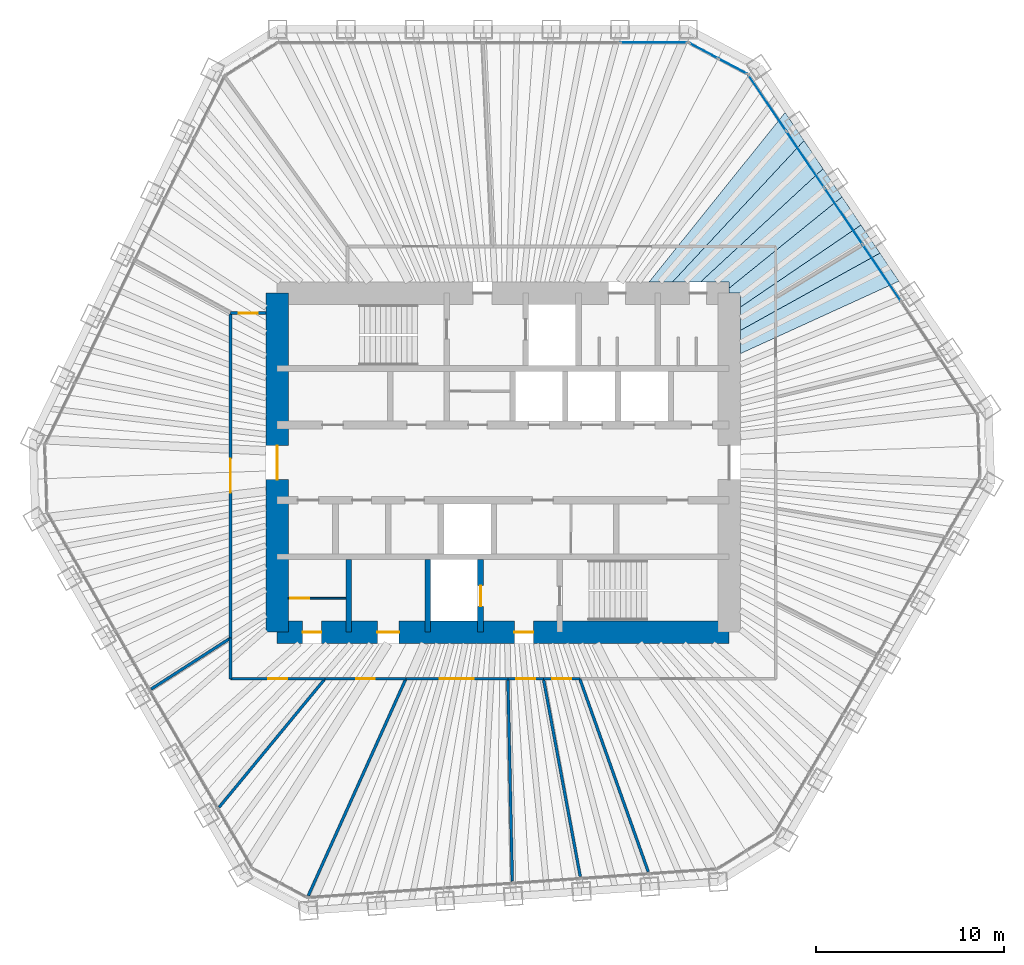
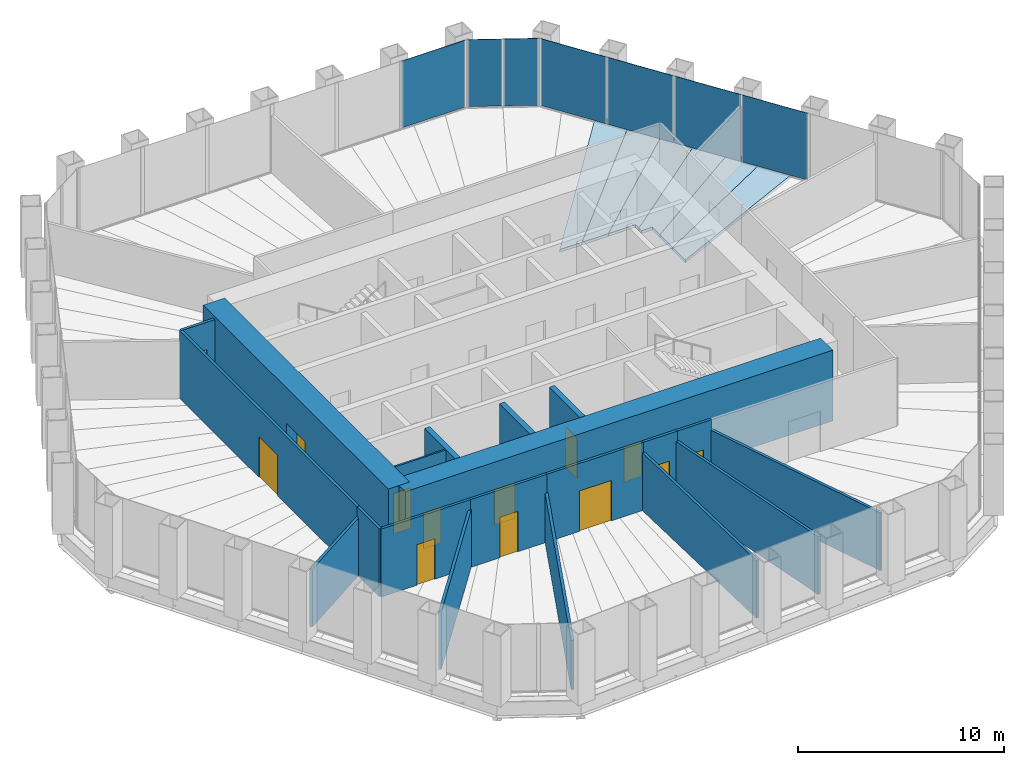
# One storey, part 10 of 13: 20 walls, 13 doors, 7 plates, 6 slabs, 13 openings, 3 elements without a shape of their own.
"""IFC4 building model written with IfcOpenShell, lengths in metres."""

from ifc_helpers import new_model, si_unit, direction, frame, frame_2d, origin, origin_2d, place, context, subcontext, project, spatial, polyline, rectangle, outline, extrude, material, layer, layer_set, type_object, element, fill, aggregate, save


model = new_model("IFC4")

# Units and contexts
model_context = context("Model", 3, precision=1e-05, world=origin(), true_north=direction((0.0, 1.0)))
body_context = subcontext(model_context, "Body", "Model", "MODEL_VIEW")
ifc_project = project(units=[si_unit("LENGTHUNIT", "METRE"), si_unit("AREAUNIT", "SQUARE_METRE"), si_unit("VOLUMEUNIT", "CUBIC_METRE"), si_unit("PLANEANGLEUNIT", "RADIAN"), si_unit("MASSUNIT", "GRAM", prefix="KILO")], contexts=[model_context])

# Site, building, storey
site_placement = place(None, origin())
site = spatial("IfcSite", under=ifc_project, at=site_placement, CompositionType="ELEMENT")
building_placement = place(site_placement, origin())
building = spatial("IfcBuilding", under=site, at=building_placement, Name="Qingtian Harvest Tower", CompositionType="ELEMENT")
storey_placement = place(building_placement, frame((0.0, 0.0, 226.60009765625)))
storey = spatial("IfcBuildingStorey", under=building, at=storey_placement, Name="L49", CompositionType="ELEMENT", Elevation=226.60009765625)

# Slabs
ifc_material_1 = material(Name="Concrete fc' 35 MPa", Category="concrete")
ifc_layer_1 = layer(ifc_material_1, 0.169921875)
ifc_layer_set_1 = layer_set([ifc_layer_1], Name="Composite floor slab FS17 170")
slab_type = type_object("IfcSlabType", Name="Composite floor slab FS17 170", PredefinedType="FLOOR", material=ifc_layer_set_1)
slab_1_placement = place(storey_placement, frame((0.0, 0.0, -0.170166015625)))
element("IfcSlab", 1, at=slab_1_placement, inside=storey, type_object=slab_type, Name="Floor slab L49 panel D45", PredefinedType="FLOOR", context=body_context, shape_type="SweptSolid", body=[
    extrude(outline(polyline([(12.60009765625, 7.023681640625), (20.003662109375, 11.125244140625), (21.010986328125, 9.6318359375), (12.60009765625, 5.7900390625), (12.60009765625, 7.023681640625)])), origin(), (0.0, 0.0, 1.0), 0.170166015625),
])
slab_2_placement = place(storey_placement, frame((0.0, 0.0, -0.170166015625)))
element("IfcSlab", 2, at=slab_2_placement, inside=storey, type_object=slab_type, Name="Floor slab L49 panel D46", PredefinedType="FLOOR", context=body_context, shape_type="SweptSolid", body=[
    extrude(outline(polyline([(12.60009765625, 8.260498046875), (18.997802734375, 12.61669921875), (20.003662109375, 11.125244140625), (12.60009765625, 7.023681640625), (12.60009765625, 8.260498046875)])), origin(), (0.0, 0.0, 1.0), 0.170166015625),
])
slab_3_placement = place(storey_placement, frame((0.0, 0.0, -0.170166015625)))
element("IfcSlab", 3, at=slab_3_placement, inside=storey, type_object=slab_type, Name="Floor slab L49 panel D47", PredefinedType="FLOOR", context=body_context, shape_type="SweptSolid", body=[
    extrude(outline(polyline([(12.60009765625, 9.0), (12.0, 9.0), (12.0, 9.2666015625), (17.99072265625, 14.109375), (18.997802734375, 12.61669921875), (12.60009765625, 8.260498046875), (12.60009765625, 9.0)])), origin(), (0.0, 0.0, 1.0), 0.170166015625),
])
slab_4_placement = place(storey_placement, frame((0.0, 0.0, -0.170166015625)))
element("IfcSlab", 4, at=slab_4_placement, inside=storey, type_object=slab_type, Name="Floor slab L49 panel D48", PredefinedType="FLOOR", context=body_context, shape_type="SweptSolid", body=[
    extrude(outline(polyline([(12.0, 9.60009765625), (10.48583984375, 9.60009765625), (16.982177734375, 15.604736328125), (17.99072265625, 14.109375), (12.0, 9.2666015625), (12.0, 9.60009765625)])), origin(), (0.0, 0.0, 1.0), 0.170166015625),
])
slab_5_placement = place(storey_placement, frame((0.0, 0.0, -0.170166015625)))
element("IfcSlab", 5, at=slab_5_placement, inside=storey, type_object=slab_type, Name="Floor slab L49 panel D49", PredefinedType="FLOOR", context=body_context, shape_type="SweptSolid", body=[
    extrude(outline(polyline([(8.998291015625, 9.60009765625), (15.974853515625, 17.098388671875), (16.982177734375, 15.604736328125), (10.48583984375, 9.60009765625), (8.998291015625, 9.60009765625)])), origin(), (0.0, 0.0, 1.0), 0.170166015625),
])
slab_6_placement = place(storey_placement, frame((0.0, 0.0, -0.170166015625)))
element("IfcSlab", 6, at=slab_6_placement, inside=storey, type_object=slab_type, Name="Floor slab L49 panel D50", PredefinedType="FLOOR", context=body_context, shape_type="SweptSolid", body=[
    extrude(outline(polyline([(7.751220703125, 9.60009765625), (14.967529296875, 18.591796875), (15.974853515625, 17.098388671875), (8.998291015625, 9.60009765625), (7.751220703125, 9.60009765625)])), origin(), (0.0, 0.0, 1.0), 0.170166015625),
])

# Curtain wall, plate
ifc_material_2 = material(Name="Bronze-anodised aluminium curtain wall", Category="aluminium")
curtain_wall_type = type_object("IfcCurtainWallType", Name="Curtain wall CW4 office", PredefinedType="USERDEFINED", material=ifc_material_2)
curtain_wall_1_placement = place(storey_placement, origin())
curtain_wall_1 = element("IfcCurtainWall", 7, at=curtain_wall_1_placement, inside=storey, type_object=curtain_wall_type, Name="Curtain wall CW4 L49 N0-5", ObjectType="RECESSED CURTAIN WALL", PredefinedType="USERDEFINED")
ifc_material_3 = material(Name="Bronze-tinted laminated insulating glass", Category="glass")
ifc_layer_2 = layer(ifc_material_3, 0.030029296875)
ifc_layer_set_2 = layer_set([ifc_layer_2], Name="Glazed panel CWP tinted IGU")
plate_type = type_object("IfcPlateType", Name="Glazed panel CWP tinted IGU", PredefinedType="CURTAIN_PANEL", material=ifc_layer_set_2)
plate_1_placement = place(storey_placement, frame((7.996337890625, 22.300048828125, 0.06494140625), z_axis=(0.0, 0.0, 1.0), x_axis=(1.0, 0.0, 0.0)))
plate_1 = element("IfcPlate", 8, at=plate_1_placement, type_object=plate_type, Name="CW4 panel 6.1", PredefinedType="CURTAIN_PANEL", context=body_context, shape_type="SweptSolid", body=[
    extrude(rectangle(XDim=3.5361328125, YDim=0.030029296875, at=origin_2d()), origin(), (0.0, 0.0, 1.0), 3.965087890625),
])
aggregate(curtain_wall_1, [plate_1])

# Curtain wall, plates
curtain_wall_2_placement = place(storey_placement, origin())
curtain_wall_2 = element("IfcCurtainWall", 9, at=curtain_wall_2_placement, inside=storey, type_object=curtain_wall_type, Name="Curtain wall CW4 L49 NC", ObjectType="RECESSED CURTAIN WALL", PredefinedType="USERDEFINED")
plate_2_placement = place(storey_placement, frame((10.634033203125, 21.8720703125, 0.06494140625), z_axis=(0.0, 0.0, 1.0), x_axis=(0.882947592859, -0.469471562786, 0.0)))
plate_2 = element("IfcPlate", 10, at=plate_2_placement, type_object=plate_type, Name="CW4 panel 1.1", PredefinedType="CURTAIN_PANEL", context=body_context, shape_type="SweptSolid", body=[
    extrude(rectangle(XDim=1.69287109375, YDim=0.030029296875, at=origin_2d()), origin(), (0.0, 0.0, 1.0), 3.965087890625),
])
plate_3_placement = place(storey_placement, frame((12.186279296875, 21.046875, 0.06494140625), z_axis=(0.0, 0.0, 1.0), x_axis=(0.882947592859, -0.469471562786, 0.0)))
plate_3 = element("IfcPlate", 11, at=plate_3_placement, type_object=plate_type, Name="CW4 panel 2.1", PredefinedType="CURTAIN_PANEL", context=body_context, shape_type="SweptSolid", body=[
    extrude(rectangle(XDim=1.69287109375, YDim=0.030029296875, at=origin_2d()), origin(), (0.0, 0.0, 1.0), 3.965087890625),
])
aggregate(curtain_wall_2, [plate_2, plate_3])

curtain_wall_3_placement = place(storey_placement, origin())
curtain_wall_3 = element("IfcCurtainWall", 12, at=curtain_wall_3_placement, inside=storey, type_object=curtain_wall_type, Name="Curtain wall CW4 L49 NE0-5", ObjectType="RECESSED CURTAIN WALL", PredefinedType="USERDEFINED")
plate_4_placement = place(storey_placement, frame((14.01611328125, 19.09912109375, 0.06494140625), z_axis=(0.0, 0.0, 1.0), x_axis=(0.559192903471, -0.829037572555, 0.0)))
plate_4 = element("IfcPlate", 13, at=plate_4_placement, type_object=plate_type, Name="CW4 panel 1.1", PredefinedType="CURTAIN_PANEL", context=body_context, shape_type="SweptSolid", body=[
    extrude(rectangle(XDim=3.5361328125, YDim=0.030029296875, at=origin_2d()), origin(), (0.0, 0.0, 1.0), 3.965087890625),
])
plate_5_placement = place(storey_placement, frame((16.038818359375, 16.100341796875, 0.06494140625), z_axis=(0.0, 0.0, 1.0), x_axis=(0.559192903471, -0.829037572555, 0.0)))
plate_5 = element("IfcPlate", 14, at=plate_5_placement, type_object=plate_type, Name="CW4 panel 2.1", PredefinedType="CURTAIN_PANEL", context=body_context, shape_type="SweptSolid", body=[
    extrude(rectangle(XDim=3.568603515625, YDim=0.030029296875, at=origin_2d()), origin(), (0.0, 0.0, 1.0), 3.965087890625),
])
plate_6_placement = place(storey_placement, frame((18.07080078125, 13.087890625, 0.06494140625), z_axis=(0.0, 0.0, 1.0), x_axis=(0.559192903471, -0.829037572555, 0.0)))
plate_6 = element("IfcPlate", 15, at=plate_6_placement, type_object=plate_type, Name="CW4 panel 3.1", PredefinedType="CURTAIN_PANEL", context=body_context, shape_type="SweptSolid", body=[
    extrude(rectangle(XDim=3.568603515625, YDim=0.030029296875, at=origin_2d()), origin(), (0.0, 0.0, 1.0), 3.965087890625),
])
plate_7_placement = place(storey_placement, frame((20.1025390625, 10.07568359375, 0.06494140625), z_axis=(0.0, 0.0, 1.0), x_axis=(0.559192903471, -0.829037572555, 0.0)))
plate_7 = element("IfcPlate", 16, at=plate_7_placement, type_object=plate_type, Name="CW4 panel 4.1", PredefinedType="CURTAIN_PANEL", context=body_context, shape_type="SweptSolid", body=[
    extrude(rectangle(XDim=3.568603515625, YDim=0.030029296875, at=origin_2d()), origin(), (0.0, 0.0, 1.0), 3.965087890625),
])
aggregate(curtain_wall_3, [plate_4, plate_5, plate_6, plate_7])

# Walls
ifc_material_4 = material(Name="Precast concrete shaft panel", Category="concrete")
ifc_layer_3 = layer(ifc_material_4, 0.300048828125)
ifc_layer_set_3 = layer_set([ifc_layer_3], Name="Core shaft partition SW1 300")
wall_type_1 = type_object("IfcWallType", Name="Core shaft partition SW1 300", PredefinedType="PARTITIONING", material=ifc_layer_set_3)
for number, where, z_axis, x_axis, name in (
    (17, (-8.199951171875, -9.0, 0.0), (0.0, 0.0, 1.0), (0.0, 1.0, 0.0), "Core shaft partition XS1 L49"),
    (18, (-4.0, -9.0, 0.0), (0.0, 0.0, 1.0), (0.0, 1.0, 0.0), "Core shaft partition XS2 L49"),
):
    element("IfcWall", number, at=place(storey_placement, frame(where, z_axis=z_axis, x_axis=x_axis)), inside=storey, type_object=wall_type_1, Name=name, PredefinedType="PARTITIONING", context=body_context, shape_type="SweptSolid", body=[
        extrude(rectangle(XDim=3.85009765625, YDim=0.300048828125, at=frame_2d((1.925048828125, 0.0))), origin(), (0.0, 0.0, 1.0), 3.97998046875),
    ])

# Wall, opening, door
wall_1_placement = place(storey_placement, frame((-1.199951171875, -9.0, 0.0), z_axis=(0.0, 0.0, 1.0), x_axis=(0.0, 1.0, 0.0)))
wall_1 = element("IfcWall", 19, at=wall_1_placement, inside=storey, type_object=wall_type_1, Name="Core shaft partition XS3 L49", PredefinedType="PARTITIONING", context=body_context, shape_type="SweptSolid", body=[
    extrude(rectangle(XDim=3.85009765625, YDim=0.300048828125, at=frame_2d((1.925048828125, 0.0))), origin(), (0.0, 0.0, 1.0), 3.97998046875),
])
opening_1_placement = place(wall_1_placement, frame((1.375, 0.0, 0.0)))
opening_1 = element("IfcOpeningElement", 20, at=opening_1_placement, cuts=wall_1, Name="Opening LD1", PredefinedType="OPENING", context=body_context, shape_type="SweptSolid", body=[
    extrude(rectangle(XDim=1.10009765625, YDim=2.39990234375, at=frame_2d((0.550048828125, 1.199951171875))), frame((0.0, 0.159912109375, 0.0), z_axis=(0.0, -1.0, 0.0), x_axis=(1.0, 0.0, 0.0)), (0.0, 0.0, 1.0), 0.320068359375),
])
ifc_material_5 = material(Name="Stainless steel lift landing door", Category="steel")
door_type_1 = type_object("IfcDoorType", Name="Lift landing door LD1 1 HR", OperationType="DOUBLE_DOOR_SLIDING", PredefinedType="DOOR", material=ifc_material_5)
door_1_placement = place(opening_1_placement, origin())
door_1 = element("IfcDoor", 21, at=door_1_placement, inside=storey, type_object=door_type_1, Name="FL2 landing door L49", OperationType="DOUBLE_DOOR_SLIDING", OverallHeight=2.39990234375, OverallWidth=1.10009765625, PredefinedType="DOOR", context=body_context, shape_type="SweptSolid", body=[
    extrude(rectangle(XDim=1.10009765625, YDim=2.39990234375, at=frame_2d((0.550048828125, 1.199951171875))), frame((0.0, 0.02490234375, 0.0), z_axis=(0.0, -1.0, 0.0), x_axis=(1.0, 0.0, 0.0)), (0.0, 0.0, 1.0), 0.050048828125),
])
fill(opening_1, door_1)

# Wall, openings, doors
ifc_material_6 = material(Name="Concrete fc' 70 MPa", Category="concrete")
ifc_layer_4 = layer(ifc_material_6, 1.199951171875)
ifc_layer_set_4 = layer_set([ifc_layer_4], Name="Core wall RC2 1200")
wall_type_2 = type_object("IfcWallType", Name="Core wall RC2 1200", PredefinedType="SHEAR", material=ifc_layer_set_4)
wall_2_placement = place(storey_placement, frame((-12.0, -9.0, 0.0), z_axis=(0.0, 0.0, 1.0), x_axis=(1.0, 0.0, 0.0)))
wall_2 = element("IfcWall", 22, at=wall_2_placement, inside=storey, type_object=wall_type_2, Name="Core wall CS L49", PredefinedType="SHEAR", context=body_context, shape_type="SweptSolid", body=[
    extrude(rectangle(XDim=24.0, YDim=1.199951171875, at=frame_2d((12.0, 0.0))), origin(), (0.0, 0.0, 1.0), 4.199951171875),
])
opening_2_placement = place(wall_2_placement, frame((1.35009765625, 0.0, 0.0)))
opening_2 = element("IfcOpeningElement", 23, at=opening_2_placement, cuts=wall_2, Name="Opening FD1", PredefinedType="OPENING", context=body_context, shape_type="SweptSolid", body=[
    extrude(rectangle(XDim=1.0, YDim=2.10009765625, at=frame_2d((0.5, 1.050048828125))), frame((0.0, 0.60986328125, 0.0), z_axis=(0.0, -1.0, 0.0), x_axis=(1.0, 0.0, 0.0)), (0.0, 0.0, 1.0), 1.219970703125),
])
opening_3_placement = place(wall_2_placement, frame((5.324951171875, 0.0, 0.0)))
opening_3 = element("IfcOpeningElement", 24, at=opening_3_placement, cuts=wall_2, Name="Opening AD1", PredefinedType="OPENING", context=body_context, shape_type="SweptSolid", body=[
    extrude(rectangle(XDim=1.14990234375, YDim=2.10009765625, at=frame_2d((0.574951171875, 1.050048828125))), frame((0.0, 0.60986328125, 0.0), z_axis=(0.0, -1.0, 0.0), x_axis=(1.0, 0.0, 0.0)), (0.0, 0.0, 1.0), 1.219970703125),
])
opening_4_placement = place(wall_2_placement, frame((12.60009765625, 0.0, 0.0)))
opening_4 = element("IfcOpeningElement", 25, at=opening_4_placement, cuts=wall_2, Name="Opening FD1", PredefinedType="OPENING", context=body_context, shape_type="SweptSolid", body=[
    extrude(rectangle(XDim=1.0, YDim=2.10009765625, at=frame_2d((0.5, 1.050048828125))), frame((0.0, 0.60986328125, 0.0), z_axis=(0.0, -1.0, 0.0), x_axis=(1.0, 0.0, 0.0)), (0.0, 0.0, 1.0), 1.219970703125),
])
ifc_material_7 = material(Name="Laminated timber door leaf", Category="wood")
door_type_2 = type_object("IfcDoorType", Name="Accessible WC door AD1 single", OperationType="SINGLE_SWING_LEFT", PredefinedType="DOOR", material=ifc_material_7)
door_2_placement = place(opening_3_placement, origin())
door_2 = element("IfcDoor", 26, at=door_2_placement, inside=storey, type_object=door_type_2, Name="AWC door L49", OperationType="SINGLE_SWING_LEFT", OverallHeight=2.10009765625, OverallWidth=1.14990234375, PredefinedType="DOOR", context=body_context, shape_type="SweptSolid", body=[
    extrude(rectangle(XDim=1.14990234375, YDim=2.10009765625, at=frame_2d((0.574951171875, 1.050048828125))), frame((0.0, 0.02490234375, 0.0), z_axis=(0.0, -1.0, 0.0), x_axis=(1.0, 0.0, 0.0)), (0.0, 0.0, 1.0), 0.050048828125),
])
fill(opening_3, door_2)
ifc_material_8 = material(Name="Steel-faced door leaf", Category="steel")
door_type_3 = type_object("IfcDoorType", Name="Fire door FD1 single 1 HR", OperationType="SINGLE_SWING_LEFT", PredefinedType="DOOR", material=ifc_material_8)
door_3_placement = place(opening_2_placement, origin())
door_3 = element("IfcDoor", 27, at=door_3_placement, inside=storey, type_object=door_type_3, Name="CLN door L49", OperationType="SINGLE_SWING_LEFT", OverallHeight=2.10009765625, OverallWidth=1.0, PredefinedType="DOOR", context=body_context, shape_type="SweptSolid", body=[
    extrude(rectangle(XDim=1.0, YDim=2.10009765625, at=frame_2d((0.5, 1.050048828125))), frame((0.0, 0.02490234375, 0.0), z_axis=(0.0, -1.0, 0.0), x_axis=(1.0, 0.0, 0.0)), (0.0, 0.0, 1.0), 0.050048828125),
])
fill(opening_2, door_3)
door_4_placement = place(opening_4_placement, origin())
door_4 = element("IfcDoor", 28, at=door_4_placement, inside=storey, type_object=door_type_3, Name="V2 door L49", OperationType="SINGLE_SWING_RIGHT", OverallHeight=2.10009765625, OverallWidth=1.0, PredefinedType="DOOR", context=body_context, shape_type="SweptSolid", body=[
    extrude(rectangle(XDim=1.0, YDim=2.10009765625, at=frame_2d((0.5, 1.050048828125))), frame((0.0, 0.02490234375, 0.0), z_axis=(0.0, -1.0, 0.0), x_axis=(1.0, 0.0, 0.0)), (0.0, 0.0, 1.0), 0.050048828125),
])
fill(opening_4, door_4)

# Wall, opening, door
wall_3_placement = place(storey_placement, frame((-12.0, -9.0, 0.0), z_axis=(0.0, 0.0, 1.0), x_axis=(0.0, 1.0, 0.0)))
wall_3 = element("IfcWall", 29, at=wall_3_placement, inside=storey, type_object=wall_type_2, Name="Core wall CW L49", PredefinedType="SHEAR", context=body_context, shape_type="SweptSolid", body=[
    extrude(rectangle(XDim=18.0, YDim=1.199951171875, at=frame_2d((9.0, 0.0))), origin(), (0.0, 0.0, 1.0), 4.199951171875),
])
opening_5_placement = place(wall_3_placement, frame((8.10009765625, 0.0, 0.0)))
opening_5 = element("IfcOpeningElement", 30, at=opening_5_placement, cuts=wall_3, Name="Opening FD2", PredefinedType="OPENING", context=body_context, shape_type="SweptSolid", body=[
    extrude(rectangle(XDim=1.800048828125, YDim=2.10009765625, at=frame_2d((0.89990234375, 1.050048828125))), frame((0.0, 0.60986328125, 0.0), z_axis=(0.0, -1.0, 0.0), x_axis=(1.0, 0.0, 0.0)), (0.0, 0.0, 1.0), 1.219970703125),
])
ifc_material_9 = material(Name="Steel-faced door leaf", Category="steel")
door_type_4 = type_object("IfcDoorType", Name="Fire door FD2 double 1 HR", OperationType="DOUBLE_DOOR_DOUBLE_SWING", PredefinedType="DOOR", material=ifc_material_9)
door_5_placement = place(opening_5_placement, origin())
door_5 = element("IfcDoor", 31, at=door_5_placement, inside=storey, type_object=door_type_4, Name="LOBBY-W door L49", OperationType="DOUBLE_DOOR_DOUBLE_SWING", OverallHeight=2.10009765625, OverallWidth=1.800048828125, PredefinedType="DOOR", context=body_context, shape_type="SweptSolid", body=[
    extrude(rectangle(XDim=1.800048828125, YDim=2.10009765625, at=frame_2d((0.89990234375, 1.050048828125))), frame((0.0, 0.02490234375, 0.0), z_axis=(0.0, -1.0, 0.0), x_axis=(1.0, 0.0, 0.0)), (0.0, 0.0, 1.0), 0.050048828125),
])
fill(opening_5, door_5)

# Wall
ifc_material_10 = material(Name="Gypsum board on steel studs", Category="steel")
ifc_layer_5 = layer(ifc_material_10, 0.14990234375)
ifc_layer_set_5 = layer_set([ifc_layer_5], Name="Partition PT1 150")
wall_type_3 = type_object("IfcWallType", Name="Partition PT1 150", PredefinedType="PARTITIONING", material=ifc_layer_set_5)
wall_4_placement = place(storey_placement, frame((-18.692626953125, -12.023681640625, 0.0), z_axis=(0.0, 0.0, 1.0), x_axis=(0.841031335058, 0.540986407824, 0.0)))
element("IfcWall", 32, at=wall_4_placement, inside=storey, type_object=wall_type_3, Name="Office suite wall L49", PredefinedType="PARTITIONING", context=body_context, shape_type="SweptSolid", body=[
    extrude(rectangle(XDim=5.0146484375, YDim=0.14990234375, at=frame_2d((2.50732421875, 0.0))), origin(), (0.0, 0.0, 1.0), 3.429931640625),
])

# Wall, opening, door
wall_5_placement = place(storey_placement, frame((-14.47509765625, -9.310791015625, 0.0), z_axis=(0.0, 0.0, 1.0), x_axis=(0.0, 1.0, 0.0)))
wall_5 = element("IfcWall", 33, at=wall_5_placement, inside=storey, type_object=wall_type_3, Name="Office suite wall L49", PredefinedType="PARTITIONING", context=body_context, shape_type="SweptSolid", body=[
    extrude(rectangle(XDim=17.252197265625, YDim=0.14990234375, at=frame_2d((8.6259765625, 0.0))), origin(), (0.0, 0.0, 1.0), 4.02978515625),
])
opening_6_placement = place(wall_5_placement, frame((7.72607421875, 0.0, 0.0)))
opening_6 = element("IfcOpeningElement", 34, at=opening_6_placement, cuts=wall_5, Name="Opening D3", PredefinedType="OPENING", context=body_context, shape_type="SweptSolid", body=[
    extrude(rectangle(XDim=1.800048828125, YDim=2.39990234375, at=frame_2d((0.89990234375, 1.199951171875))), frame((0.0, 0.0849609375, 0.0), z_axis=(0.0, -1.0, 0.0), x_axis=(1.0, 0.0, 0.0)), (0.0, 0.0, 1.0), 0.169921875),
])
ifc_material_11 = material(Name="Laminated timber door leaf", Category="wood")
door_type_5 = type_object("IfcDoorType", Name="Room door D3 double", OperationType="DOUBLE_DOOR_DOUBLE_SWING", PredefinedType="DOOR", material=ifc_material_11)
door_6_placement = place(opening_6_placement, origin())
door_6 = element("IfcDoor", 35, at=door_6_placement, inside=storey, type_object=door_type_5, Name="Office suite door L49", OperationType="DOUBLE_DOOR_DOUBLE_SWING", OverallHeight=2.39990234375, OverallWidth=1.800048828125, PredefinedType="DOOR", context=body_context, shape_type="SweptSolid", body=[
    extrude(rectangle(XDim=1.800048828125, YDim=2.39990234375, at=frame_2d((0.89990234375, 1.199951171875))), frame((0.0, 0.02490234375, 0.0), z_axis=(0.0, -1.0, 0.0), x_axis=(1.0, 0.0, 0.0)), (0.0, 0.0, 1.0), 0.050048828125),
])
fill(opening_6, door_6)

wall_6_placement = place(storey_placement, frame((-14.47509765625, 7.94140625, 0.0), z_axis=(0.0, 0.0, 1.0), x_axis=(1.0, 0.0, 0.0)))
wall_6 = element("IfcWall", 36, at=wall_6_placement, inside=storey, type_object=wall_type_3, Name="Office suite wall L49", PredefinedType="PARTITIONING", context=body_context, shape_type="SweptSolid", body=[
    extrude(rectangle(XDim=1.875, YDim=0.14990234375, at=frame_2d((0.9375, 0.0))), origin(), (0.0, 0.0, 1.0), 4.02978515625),
])
opening_7_placement = place(wall_6_placement, frame((0.4375, 0.0, 0.0)))
opening_7 = element("IfcOpeningElement", 37, at=opening_7_placement, cuts=wall_6, Name="Opening D2", PredefinedType="OPENING", context=body_context, shape_type="SweptSolid", body=[
    extrude(rectangle(XDim=1.0, YDim=2.39990234375, at=frame_2d((0.5, 1.199951171875))), frame((0.0, 0.0849609375, 0.0), z_axis=(0.0, -1.0, 0.0), x_axis=(1.0, 0.0, 0.0)), (0.0, 0.0, 1.0), 0.169921875),
])
ifc_material_12 = material(Name="Laminated timber door leaf", Category="wood")
door_type_6 = type_object("IfcDoorType", Name="Room door D2 single", OperationType="SINGLE_SWING_LEFT", PredefinedType="DOOR", material=ifc_material_12)
door_7_placement = place(opening_7_placement, origin())
door_7 = element("IfcDoor", 38, at=door_7_placement, inside=storey, type_object=door_type_6, Name="Office suite door L49", OperationType="SINGLE_SWING_LEFT", OverallHeight=2.39990234375, OverallWidth=1.0, PredefinedType="DOOR", context=body_context, shape_type="SweptSolid", body=[
    extrude(rectangle(XDim=1.0, YDim=2.39990234375, at=frame_2d((0.5, 1.199951171875))), frame((0.0, 0.02490234375, 0.0), z_axis=(0.0, -1.0, 0.0), x_axis=(1.0, 0.0, 0.0)), (0.0, 0.0, 1.0), 0.050048828125),
])
fill(opening_7, door_7)

# Wall
wall_7_placement = place(storey_placement, frame((7.702880859375, -21.71923828125, 0.0), z_axis=(0.0, 0.0, 1.0), x_axis=(-0.334269551553, 0.942477515331, 0.0)))
element("IfcWall", 39, at=wall_7_placement, inside=storey, type_object=wall_type_3, Name="Focus room wall L49", PredefinedType="PARTITIONING", context=body_context, shape_type="SweptSolid", body=[
    extrude(rectangle(XDim=10.869384765625, YDim=0.14990234375, at=frame_2d((5.4345703125, 0.0))), origin(), (0.0, 0.0, 1.0), 3.429931640625),
])

# Wall, opening, door
wall_8_placement = place(storey_placement, frame((4.069580078125, -11.47509765625, 0.0), z_axis=(0.0, 0.0, 1.0), x_axis=(-1.0, 0.0, 0.0)))
wall_8 = element("IfcWall", 40, at=wall_8_placement, inside=storey, type_object=wall_type_3, Name="Focus room wall L49", PredefinedType="PARTITIONING", context=body_context, shape_type="SweptSolid", body=[
    extrude(rectangle(XDim=1.931640625, YDim=0.14990234375, at=frame_2d((0.9658203125, 0.0))), origin(), (0.0, 0.0, 1.0), 4.02978515625),
])
opening_8_placement = place(wall_8_placement, frame((0.4658203125, 0.0, 0.0)))
opening_8 = element("IfcOpeningElement", 41, at=opening_8_placement, cuts=wall_8, Name="Opening D2", PredefinedType="OPENING", context=body_context, shape_type="SweptSolid", body=[
    extrude(rectangle(XDim=1.0, YDim=2.39990234375, at=frame_2d((0.5, 1.199951171875))), frame((0.0, 0.0849609375, 0.0), z_axis=(0.0, -1.0, 0.0), x_axis=(1.0, 0.0, 0.0)), (0.0, 0.0, 1.0), 0.169921875),
])
door_8_placement = place(opening_8_placement, origin())
door_8 = element("IfcDoor", 42, at=door_8_placement, inside=storey, type_object=door_type_6, Name="Focus room door L49", OperationType="SINGLE_SWING_RIGHT", OverallHeight=2.39990234375, OverallWidth=1.0, PredefinedType="DOOR", context=body_context, shape_type="SweptSolid", body=[
    extrude(rectangle(XDim=1.0, YDim=2.39990234375, at=frame_2d((0.5, 1.199951171875))), frame((0.0, 0.02490234375, 0.0), z_axis=(0.0, -1.0, 0.0), x_axis=(1.0, 0.0, 0.0)), (0.0, 0.0, 1.0), 0.050048828125),
])
fill(opening_8, door_8)

# Wall
wall_9_placement = place(storey_placement, frame((4.09326171875, -21.96875, 0.0), z_axis=(0.0, 0.0, 1.0), x_axis=(-0.183180901121, 0.983079222374, 0.0)))
element("IfcWall", 43, at=wall_9_placement, inside=storey, type_object=wall_type_3, Name="Print room wall L49", PredefinedType="PARTITIONING", context=body_context, shape_type="SweptSolid", body=[
    extrude(rectangle(XDim=10.67431640625, YDim=0.14990234375, at=frame_2d((5.337158203125, 0.0))), origin(), (0.0, 0.0, 1.0), 3.429931640625),
])

# Wall, opening, door
wall_10_placement = place(storey_placement, frame((2.137939453125, -11.47509765625, 0.0), z_axis=(0.0, 0.0, 1.0), x_axis=(-1.0, 0.0, 0.0)))
wall_10 = element("IfcWall", 44, at=wall_10_placement, inside=storey, type_object=wall_type_3, Name="Print room wall L49", PredefinedType="PARTITIONING", context=body_context, shape_type="SweptSolid", body=[
    extrude(rectangle(XDim=1.8876953125, YDim=0.14990234375, at=frame_2d((0.94384765625, 0.0))), origin(), (0.0, 0.0, 1.0), 4.02978515625),
])
opening_9_placement = place(wall_10_placement, frame((0.44384765625, 0.0, 0.0)))
opening_9 = element("IfcOpeningElement", 45, at=opening_9_placement, cuts=wall_10, Name="Opening D2", PredefinedType="OPENING", context=body_context, shape_type="SweptSolid", body=[
    extrude(rectangle(XDim=1.0, YDim=2.39990234375, at=frame_2d((0.5, 1.199951171875))), frame((0.0, 0.0849609375, 0.0), z_axis=(0.0, -1.0, 0.0), x_axis=(1.0, 0.0, 0.0)), (0.0, 0.0, 1.0), 0.169921875),
])
door_9_placement = place(opening_9_placement, origin())
door_9 = element("IfcDoor", 46, at=door_9_placement, inside=storey, type_object=door_type_6, Name="Print room door L49", OperationType="SINGLE_SWING_RIGHT", OverallHeight=2.39990234375, OverallWidth=1.0, PredefinedType="DOOR", context=body_context, shape_type="SweptSolid", body=[
    extrude(rectangle(XDim=1.0, YDim=2.39990234375, at=frame_2d((0.5, 1.199951171875))), frame((0.0, 0.02490234375, 0.0), z_axis=(0.0, -1.0, 0.0), x_axis=(1.0, 0.0, 0.0)), (0.0, 0.0, 1.0), 0.050048828125),
])
fill(opening_9, door_9)

# Wall
wall_11_placement = place(storey_placement, frame((0.484619140625, -22.220458984375, 0.0), z_axis=(0.0, 0.0, 1.0), x_axis=(-0.021806550804, 0.999762208899, 0.0)))
element("IfcWall", 47, at=wall_11_placement, inside=storey, type_object=wall_type_3, Name="Office suite wall L49", PredefinedType="PARTITIONING", context=body_context, shape_type="SweptSolid", body=[
    extrude(rectangle(XDim=10.747802734375, YDim=0.14990234375, at=frame_2d((5.3740234375, 0.0))), origin(), (0.0, 0.0, 1.0), 3.429931640625),
])

# Wall, opening, door
wall_12_placement = place(storey_placement, frame((0.250244140625, -11.47509765625, 0.0), z_axis=(0.0, 0.0, 1.0), x_axis=(-1.0, 0.0, 0.0)))
wall_12 = element("IfcWall", 48, at=wall_12_placement, inside=storey, type_object=wall_type_3, Name="Office suite wall L49", PredefinedType="PARTITIONING", context=body_context, shape_type="SweptSolid", body=[
    extrude(rectangle(XDim=5.41455078125, YDim=0.14990234375, at=frame_2d((2.707275390625, 0.0))), origin(), (0.0, 0.0, 1.0), 4.02978515625),
])
opening_10_placement = place(wall_12_placement, frame((1.80712890625, 0.0, 0.0)))
opening_10 = element("IfcOpeningElement", 49, at=opening_10_placement, cuts=wall_12, Name="Opening D3", PredefinedType="OPENING", context=body_context, shape_type="SweptSolid", body=[
    extrude(rectangle(XDim=1.800048828125, YDim=2.39990234375, at=frame_2d((0.89990234375, 1.199951171875))), frame((0.0, 0.0849609375, 0.0), z_axis=(0.0, -1.0, 0.0), x_axis=(1.0, 0.0, 0.0)), (0.0, 0.0, 1.0), 0.169921875),
])
door_10_placement = place(opening_10_placement, origin())
door_10 = element("IfcDoor", 50, at=door_10_placement, inside=storey, type_object=door_type_5, Name="Office suite door L49", OperationType="DOUBLE_DOOR_DOUBLE_SWING", OverallHeight=2.39990234375, OverallWidth=1.800048828125, PredefinedType="DOOR", context=body_context, shape_type="SweptSolid", body=[
    extrude(rectangle(XDim=1.800048828125, YDim=2.39990234375, at=frame_2d((0.89990234375, 1.199951171875))), frame((0.0, 0.02490234375, 0.0), z_axis=(0.0, -1.0, 0.0), x_axis=(1.0, 0.0, 0.0)), (0.0, 0.0, 1.0), 0.050048828125),
])
fill(opening_10, door_10)

# Wall
wall_13_placement = place(storey_placement, frame((-10.34619140625, -22.989501953125, 0.0), z_axis=(0.0, 0.0, 1.0), x_axis=(0.410391207886, 0.91190956596, 0.0)))
element("IfcWall", 51, at=wall_13_placement, inside=storey, type_object=wall_type_3, Name="Store room wall L49", PredefinedType="PARTITIONING", context=body_context, shape_type="SweptSolid", body=[
    extrude(rectangle(XDim=12.626708984375, YDim=0.14990234375, at=frame_2d((6.3134765625, 0.0))), origin(), (0.0, 0.0, 1.0), 2.929931640625),
])

# Wall, opening, door
wall_14_placement = place(storey_placement, frame((-5.164306640625, -11.47509765625, 0.0), z_axis=(0.0, 0.0, 1.0), x_axis=(-1.0, 0.0, 0.0)))
wall_14 = element("IfcWall", 52, at=wall_14_placement, inside=storey, type_object=wall_type_3, Name="Store room wall L49", PredefinedType="PARTITIONING", context=body_context, shape_type="SweptSolid", body=[
    extrude(rectangle(XDim=4.29443359375, YDim=0.14990234375, at=frame_2d((2.147216796875, 0.0))), origin(), (0.0, 0.0, 1.0), 4.02978515625),
])
opening_11_placement = place(wall_14_placement, frame((1.647216796875, 0.0, 0.0)))
opening_11 = element("IfcOpeningElement", 53, at=opening_11_placement, cuts=wall_14, Name="Opening D2", PredefinedType="OPENING", context=body_context, shape_type="SweptSolid", body=[
    extrude(rectangle(XDim=1.0, YDim=2.39990234375, at=frame_2d((0.5, 1.199951171875))), frame((0.0, 0.0849609375, 0.0), z_axis=(0.0, -1.0, 0.0), x_axis=(1.0, 0.0, 0.0)), (0.0, 0.0, 1.0), 0.169921875),
])
door_11_placement = place(opening_11_placement, origin())
door_11 = element("IfcDoor", 54, at=door_11_placement, inside=storey, type_object=door_type_6, Name="Store room door L49", OperationType="SINGLE_SWING_LEFT", OverallHeight=2.39990234375, OverallWidth=1.0, PredefinedType="DOOR", context=body_context, shape_type="SweptSolid", body=[
    extrude(rectangle(XDim=1.0, YDim=2.39990234375, at=frame_2d((0.5, 1.199951171875))), frame((0.0, 0.02490234375, 0.0), z_axis=(0.0, -1.0, 0.0), x_axis=(1.0, 0.0, 0.0)), (0.0, 0.0, 1.0), 0.050048828125),
])
fill(opening_11, door_11)

# Wall
wall_15_placement = place(storey_placement, frame((-15.07958984375, -18.294189453125, 0.0), z_axis=(0.0, 0.0, 1.0), x_axis=(0.636052894953, 0.771645459277, 0.0)))
element("IfcWall", 55, at=wall_15_placement, inside=storey, type_object=wall_type_3, Name="Meeting room wall L49", PredefinedType="PARTITIONING", context=body_context, shape_type="SweptSolid", body=[
    extrude(rectangle(XDim=8.837158203125, YDim=0.14990234375, at=frame_2d((4.41845703125, 0.0))), origin(), (0.0, 0.0, 1.0), 3.429931640625),
])

# Wall, opening, door
wall_16_placement = place(storey_placement, frame((-9.458740234375, -11.47509765625, 0.0), z_axis=(0.0, 0.0, 1.0), x_axis=(-1.0, 0.0, 0.0)))
wall_16 = element("IfcWall", 56, at=wall_16_placement, inside=storey, type_object=wall_type_3, Name="Meeting room wall L49", PredefinedType="PARTITIONING", context=body_context, shape_type="SweptSolid", body=[
    extrude(rectangle(XDim=5.016357421875, YDim=0.14990234375, at=frame_2d((2.50830078125, 0.0))), origin(), (0.0, 0.0, 1.0), 4.02978515625),
])
opening_12_placement = place(wall_16_placement, frame((2.00830078125, 0.0, 0.0)))
opening_12 = element("IfcOpeningElement", 57, at=opening_12_placement, cuts=wall_16, Name="Opening D2", PredefinedType="OPENING", context=body_context, shape_type="SweptSolid", body=[
    extrude(rectangle(XDim=1.0, YDim=2.39990234375, at=frame_2d((0.5, 1.199951171875))), frame((0.0, 0.0849609375, 0.0), z_axis=(0.0, -1.0, 0.0), x_axis=(1.0, 0.0, 0.0)), (0.0, 0.0, 1.0), 0.169921875),
])
door_12_placement = place(opening_12_placement, origin())
door_12 = element("IfcDoor", 58, at=door_12_placement, inside=storey, type_object=door_type_6, Name="Meeting room door L49", OperationType="SINGLE_SWING_LEFT", OverallHeight=2.39990234375, OverallWidth=1.0, PredefinedType="DOOR", context=body_context, shape_type="SweptSolid", body=[
    extrude(rectangle(XDim=1.0, YDim=2.39990234375, at=frame_2d((0.5, 1.199951171875))), frame((0.0, 0.02490234375, 0.0), z_axis=(0.0, -1.0, 0.0), x_axis=(1.0, 0.0, 0.0)), (0.0, 0.0, 1.0), 0.050048828125),
])
fill(opening_12, door_12)

# Wall
wall_17_placement = place(storey_placement, frame((-14.47509765625, -11.47509765625, 0.0), z_axis=(0.0, 0.0, 1.0), x_axis=(0.0, 1.0, 0.0)))
element("IfcWall", 59, at=wall_17_placement, inside=storey, type_object=wall_type_3, Name="Meeting room wall L49", PredefinedType="PARTITIONING", context=body_context, shape_type="SweptSolid", body=[
    extrude(rectangle(XDim=2.164306640625, YDim=0.14990234375, at=frame_2d((1.08203125, 0.0))), origin(), (0.0, 0.0, 1.0), 4.02978515625),
])

# Wall, opening, door
ifc_material_13 = material(Name="Concrete block partition", Category="concrete")
ifc_layer_6 = layer(ifc_material_13, 0.10009765625)
ifc_layer_set_6 = layer_set([ifc_layer_6], Name="Store partition PT3 100")
wall_type_4 = type_object("IfcWallType", Name="Store partition PT3 100", PredefinedType="PARTITIONING", material=ifc_layer_set_6)
wall_18_placement = place(storey_placement, frame((-11.39990234375, -7.199951171875, 0.0), z_axis=(0.0, 0.0, 1.0), x_axis=(1.0, 0.0, 0.0)))
wall_18 = element("IfcWall", 60, at=wall_18_placement, inside=storey, type_object=wall_type_4, Name="Waste store wall L49", PredefinedType="PARTITIONING", context=body_context, shape_type="SweptSolid", body=[
    extrude(rectangle(XDim=3.0498046875, YDim=0.10009765625, at=frame_2d((1.52490234375, 0.0))), origin(), (0.0, 0.0, 1.0), 3.97998046875),
])
opening_13_placement = place(wall_18_placement, frame((0.10009765625, 0.0, 0.0)))
opening_13 = element("IfcOpeningElement", 61, at=opening_13_placement, cuts=wall_18, Name="Opening D2", PredefinedType="OPENING", context=body_context, shape_type="SweptSolid", body=[
    extrude(rectangle(XDim=1.0, YDim=2.39990234375, at=frame_2d((0.5, 1.199951171875))), frame((0.0, 0.06005859375, 0.0), z_axis=(0.0, -1.0, 0.0), x_axis=(1.0, 0.0, 0.0)), (0.0, 0.0, 1.0), 0.1201171875),
])
door_13_placement = place(opening_13_placement, origin())
door_13 = element("IfcDoor", 62, at=door_13_placement, inside=storey, type_object=door_type_6, Name="Waste store door L49", OperationType="SINGLE_SWING_RIGHT", OverallHeight=2.39990234375, OverallWidth=1.0, PredefinedType="DOOR", context=body_context, shape_type="SweptSolid", body=[
    extrude(rectangle(XDim=1.0, YDim=2.39990234375, at=frame_2d((0.5, 1.199951171875))), frame((0.0, 0.02490234375, 0.0), z_axis=(0.0, -1.0, 0.0), x_axis=(1.0, 0.0, 0.0)), (0.0, 0.0, 1.0), 0.050048828125),
])
fill(opening_13, door_13)

save(model, "model.ifc")
